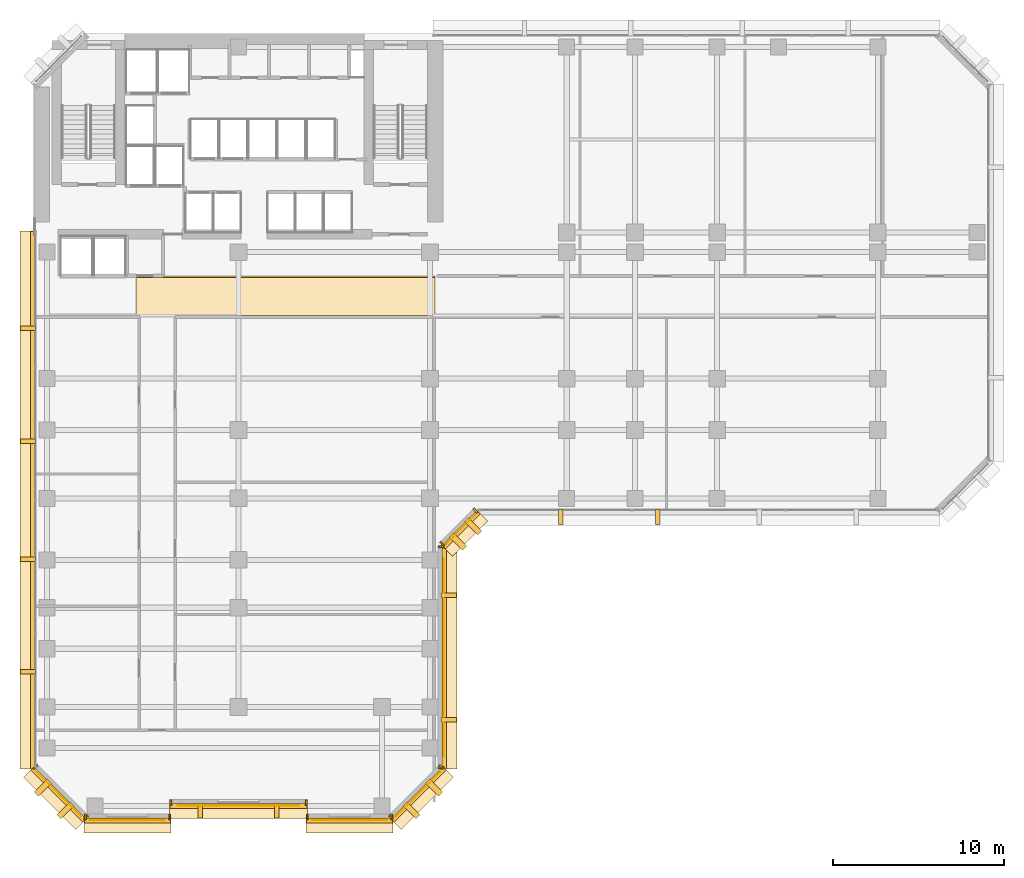
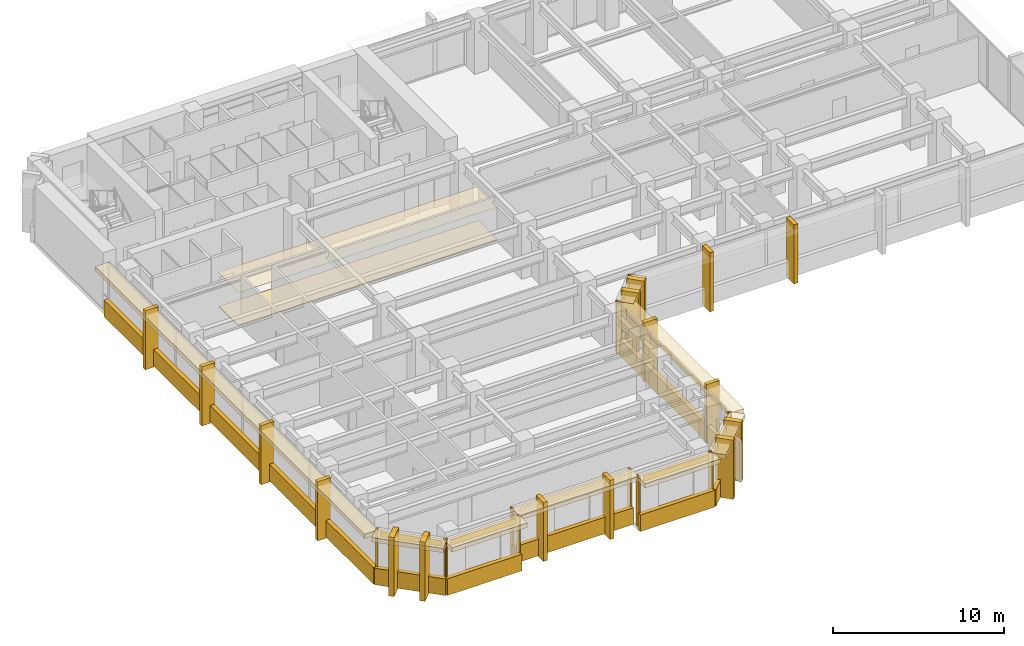
# One storey, part 9 of 13: 55 coverings.
"""IFC4 building model written with IfcOpenShell, lengths in metres."""

from ifc_helpers import new_model, si_unit, direction, frame, origin, origin_2d, place, context, subcontext, project, spatial, polyline, rectangle, outline, extrude, material, layer, layer_set, type_object, element, save


model = new_model("IFC4")

# Units and contexts
model_context = context("Model", 3, precision=1e-05, world=origin(), true_north=direction((0.0, 1.0)))
body_context = subcontext(model_context, "Body", "Model", "MODEL_VIEW")
ifc_project = project(units=[si_unit("LENGTHUNIT", "METRE"), si_unit("AREAUNIT", "SQUARE_METRE"), si_unit("VOLUMEUNIT", "CUBIC_METRE"), si_unit("PLANEANGLEUNIT", "RADIAN"), si_unit("MASSUNIT", "GRAM", prefix="KILO")], contexts=[model_context])

# Site, building, storey
site_placement = place(None, origin())
site = spatial("IfcSite", under=ifc_project, at=site_placement, CompositionType="ELEMENT")
building_placement = place(site_placement, origin())
building = spatial("IfcBuilding", under=site, at=building_placement, Name="Kefirva Bronze Tower", CompositionType="ELEMENT")
storey_placement = place(building_placement, frame((0.0, 0.0, 89.760009765625)))
storey = spatial("IfcBuildingStorey", under=building, at=storey_placement, Name="L21", CompositionType="ELEMENT", Elevation=89.760009765625)

# Coverings
ifc_material_1 = material(Name="Acoustic mineral tile")
ifc_layer_1 = layer(ifc_material_1, 0.02490234375, Name="Acoustic mineral tile")
ifc_layer_set_1 = layer_set([ifc_layer_1], Name="Acoustic mineral tile")
covering_type_1 = type_object("IfcCoveringType", Name="Acoustic Mineral Suspended Ceiling 25mm", PredefinedType="CEILING", material=ifc_layer_set_1)
covering_1_placement = place(storey_placement, frame((0.0, 0.0, 2.39990234375)))
element("IfcCovering", 1, at=covering_1_placement, inside=storey, type_object=covering_type_1, Name="L21 Corridor Acoustic Ceiling", PredefinedType="CEILING", context=body_context, shape_type="SweptSolid", body=[
    extrude(outline(polyline([(6.0, 29.39990234375), (23.5, 29.39990234375), (23.5, 31.800048828125), (6.0, 31.800048828125), (6.0, 29.39990234375)])), origin(), (0.0, 0.0, 1.0), 0.025146484375),
])
ifc_material_2 = material(Name="Bronze anodised aluminium", Category="aluminium")
ifc_layer_2 = layer(ifc_material_2, 0.02001953125, Name="Bronze anodised aluminium")
ifc_layer_set_2 = layer_set([ifc_layer_2], Name="Bronze anodised aluminium")
covering_type_2 = type_object("IfcCoveringType", Name="Anodised Bronze Spandrel Cladding 20mm", PredefinedType="CLADDING", material=ifc_layer_set_2)
covering_2_placement = place(storey_placement, frame((5.5, -0.010009765625, 3.18994140625), z_axis=(0.0, 0.0, 1.0), x_axis=(1.0, 0.0, 0.0)))
element("IfcCovering", 2, at=covering_2_placement, inside=storey, type_object=covering_type_2, Name="L21 Bronze Spandrel Cladding 1", PredefinedType="CLADDING", context=body_context, shape_type="SweptSolid", body=[
    extrude(rectangle(XDim=4.40087890625, YDim=0.02001953125, at=origin_2d()), origin(), (0.0, 0.0, 1.0), 0.39990234375),
])
for number, where, z_axis, x_axis, name in (
    (3, (3.034912109375, 0.159912109375, 0.0), (0.0, 0.0, 1.0), (1.0, 0.0, 0.0), "L21 Facade Joint Closure Panel 1S"),
    (4, (7.965087890625, 0.159912109375, 0.0), (0.0, 0.0, 1.0), (1.0, 0.0, 0.0), "L21 Facade Joint Closure Panel 1E"),
):
    element("IfcCovering", number, at=place(storey_placement, frame(where, z_axis=z_axis, x_axis=x_axis)), inside=storey, type_object=covering_type_2, Name=name, PredefinedType="CLADDING", context=body_context, shape_type="SweptSolid", body=[
        extrude(rectangle(XDim=0.10009765625, YDim=0.320068359375, at=origin_2d()), origin(), (0.0, 0.0, 1.0), 3.610107421875),
    ])
covering_3_placement = place(storey_placement, frame((5.5, -0.0400390625, -0.16015625), z_axis=(0.0, 0.0, 1.0), x_axis=(1.0, 0.0, 0.0)))
element("IfcCovering", 5, at=covering_3_placement, inside=storey, type_object=covering_type_2, Name="L21 Streamline Horizontal Spandrel Band 0", PredefinedType="CLADDING", context=body_context, shape_type="SweptSolid", body=[
    extrude(rectangle(XDim=5.0400390625, YDim=0.280029296875, at=origin_2d()), origin(), (0.0, 0.0, 1.0), 1.179931640625),
])
covering_4_placement = place(storey_placement, frame((12.0, 0.840087890625, 3.18994140625), z_axis=(0.0, 0.0, 1.0), x_axis=(1.0, 0.0, 0.0)))
element("IfcCovering", 6, at=covering_4_placement, inside=storey, type_object=covering_type_2, Name="L21 Bronze Spandrel Cladding 2", PredefinedType="CLADDING", context=body_context, shape_type="SweptSolid", body=[
    extrude(rectangle(XDim=7.10107421875, YDim=0.02001953125, at=origin_2d()), origin(), (0.0, 0.0, 1.0), 0.39990234375),
])
for number, where, z_axis, x_axis, name in (
    (7, (8.034912109375, 1.010009765625, 0.0), (0.0, 0.0, 1.0), (1.0, 0.0, 0.0), "L21 Facade Joint Closure Panel 2S"),
    (8, (15.965087890625, 1.010009765625, 0.0), (0.0, 0.0, 1.0), (1.0, 0.0, 0.0), "L21 Facade Joint Closure Panel 2E"),
):
    element("IfcCovering", number, at=place(storey_placement, frame(where, z_axis=z_axis, x_axis=x_axis)), inside=storey, type_object=covering_type_2, Name=name, PredefinedType="CLADDING", context=body_context, shape_type="SweptSolid", body=[
        extrude(rectangle(XDim=0.10009765625, YDim=0.320068359375, at=origin_2d()), origin(), (0.0, 0.0, 1.0), 3.610107421875),
    ])
covering_5_placement = place(storey_placement, frame((12.0, 0.81005859375, -0.16015625), z_axis=(0.0, 0.0, 1.0), x_axis=(1.0, 0.0, 0.0)))
element("IfcCovering", 9, at=covering_5_placement, inside=storey, type_object=covering_type_2, Name="L21 Streamline Horizontal Spandrel Band 2", PredefinedType="CLADDING", context=body_context, shape_type="SweptSolid", body=[
    extrude(rectangle(XDim=8.0400390625, YDim=0.280029296875, at=origin_2d()), origin(), (0.0, 0.0, 1.0), 1.179931640625),
])
covering_6_placement = place(storey_placement, frame((18.5, -0.010009765625, 3.18994140625), z_axis=(0.0, 0.0, 1.0), x_axis=(1.0, 0.0, 0.0)))
element("IfcCovering", 10, at=covering_6_placement, inside=storey, type_object=covering_type_2, Name="L21 Bronze Spandrel Cladding 3", PredefinedType="CLADDING", context=body_context, shape_type="SweptSolid", body=[
    extrude(rectangle(XDim=4.40087890625, YDim=0.02001953125, at=origin_2d()), origin(), (0.0, 0.0, 1.0), 0.39990234375),
])
for number, where, z_axis, x_axis, name in (
    (11, (16.034912109375, 0.159912109375, 0.0), (0.0, 0.0, 1.0), (1.0, 0.0, 0.0), "L21 Facade Joint Closure Panel 3S"),
    (12, (20.965087890625, 0.159912109375, 0.0), (0.0, 0.0, 1.0), (1.0, 0.0, 0.0), "L21 Facade Joint Closure Panel 3E"),
):
    element("IfcCovering", number, at=place(storey_placement, frame(where, z_axis=z_axis, x_axis=x_axis)), inside=storey, type_object=covering_type_2, Name=name, PredefinedType="CLADDING", context=body_context, shape_type="SweptSolid", body=[
        extrude(rectangle(XDim=0.10009765625, YDim=0.320068359375, at=origin_2d()), origin(), (0.0, 0.0, 1.0), 3.610107421875),
    ])
covering_7_placement = place(storey_placement, frame((18.5, -0.0400390625, -0.16015625), z_axis=(0.0, 0.0, 1.0), x_axis=(1.0, 0.0, 0.0)))
element("IfcCovering", 13, at=covering_7_placement, inside=storey, type_object=covering_type_2, Name="L21 Streamline Horizontal Spandrel Band 4", PredefinedType="CLADDING", context=body_context, shape_type="SweptSolid", body=[
    extrude(rectangle(XDim=5.0400390625, YDim=0.280029296875, at=origin_2d()), origin(), (0.0, 0.0, 1.0), 1.179931640625),
])
covering_8_placement = place(storey_placement, frame((22.507080078125, 1.492919921875, 3.18994140625), z_axis=(0.0, 0.0, 1.0), x_axis=(0.707106781187, 0.707106781187, 0.0)))
element("IfcCovering", 14, at=covering_8_placement, inside=storey, type_object=covering_type_2, Name="L21 Bronze Spandrel Cladding 4", PredefinedType="CLADDING", context=body_context, shape_type="SweptSolid", body=[
    extrude(rectangle(XDim=3.719482421875, YDim=0.02001953125, at=origin_2d()), origin(), (0.0, 0.0, 1.0), 0.39990234375),
])
for number, where, z_axis, x_axis, name in (
    (15, (20.91162109375, 0.137939453125, 0.0), (0.0, 0.0, 1.0), (0.707106781187, 0.707106781187, 0.0), "L21 Facade Joint Closure Panel 4S"),
    (16, (23.862060546875, 3.08837890625, 0.0), (0.0, 0.0, 1.0), (0.707106781187, 0.707106781187, 0.0), "L21 Facade Joint Closure Panel 4E"),
):
    element("IfcCovering", number, at=place(storey_placement, frame(where, z_axis=z_axis, x_axis=x_axis)), inside=storey, type_object=covering_type_2, Name=name, PredefinedType="CLADDING", context=body_context, shape_type="SweptSolid", body=[
        extrude(rectangle(XDim=0.10009765625, YDim=0.320068359375, at=origin_2d()), origin(), (0.0, 0.0, 1.0), 3.610107421875),
    ])
covering_9_placement = place(storey_placement, frame((22.5283203125, 1.4716796875, -0.16015625), z_axis=(0.0, 0.0, 1.0), x_axis=(0.707106781187, 0.707106781187, 0.0)))
element("IfcCovering", 17, at=covering_9_placement, inside=storey, type_object=covering_type_2, Name="L21 Streamline Horizontal Spandrel Band 5", PredefinedType="CLADDING", context=body_context, shape_type="SweptSolid", body=[
    extrude(rectangle(XDim=4.28271484375, YDim=0.280029296875, at=origin_2d()), origin(), (0.0, 0.0, 1.0), 1.179931640625),
])
covering_10_placement = place(storey_placement, frame((24.010009765625, 9.5, 3.18994140625), z_axis=(0.0, 0.0, 1.0), x_axis=(0.0, 1.0, 0.0)))
element("IfcCovering", 18, at=covering_10_placement, inside=storey, type_object=covering_type_2, Name="L21 Bronze Spandrel Cladding 5", PredefinedType="CLADDING", context=body_context, shape_type="SweptSolid", body=[
    extrude(rectangle(XDim=11.60107421875, YDim=0.02001953125, at=origin_2d()), origin(), (0.0, 0.0, 1.0), 0.39990234375),
])
for number, where, z_axis, x_axis, name in (
    (19, (23.840087890625, 3.034912109375, 0.0), (0.0, 0.0, 1.0), (0.0, 1.0, 0.0), "L21 Facade Joint Closure Panel 5S"),
    (20, (23.840087890625, 15.965087890625, 0.0), (0.0, 0.0, 1.0), (0.0, 1.0, 0.0), "L21 Facade Joint Closure Panel 5E"),
):
    element("IfcCovering", number, at=place(storey_placement, frame(where, z_axis=z_axis, x_axis=x_axis)), inside=storey, type_object=covering_type_2, Name=name, PredefinedType="CLADDING", context=body_context, shape_type="SweptSolid", body=[
        extrude(rectangle(XDim=0.10009765625, YDim=0.320068359375, at=origin_2d()), origin(), (0.0, 0.0, 1.0), 3.610107421875),
    ])
covering_11_placement = place(storey_placement, frame((24.0400390625, 9.5, -0.16015625), z_axis=(0.0, 0.0, 1.0), x_axis=(0.0, 1.0, 0.0)))
element("IfcCovering", 21, at=covering_11_placement, inside=storey, type_object=covering_type_2, Name="L21 Streamline Horizontal Spandrel Band 6", PredefinedType="CLADDING", context=body_context, shape_type="SweptSolid", body=[
    extrude(rectangle(XDim=13.0400390625, YDim=0.280029296875, at=origin_2d()), origin(), (0.0, 0.0, 1.0), 1.179931640625),
])
covering_12_placement = place(storey_placement, frame((25.007080078125, 16.992919921875, 3.18994140625), z_axis=(0.0, 0.0, 1.0), x_axis=(0.707106781187, 0.707106781187, 0.0)))
element("IfcCovering", 22, at=covering_12_placement, inside=storey, type_object=covering_type_2, Name="L21 Bronze Spandrel Cladding 6", PredefinedType="CLADDING", context=body_context, shape_type="SweptSolid", body=[
    extrude(rectangle(XDim=2.446533203125, YDim=0.02001953125, at=origin_2d()), origin(), (0.0, 0.0, 1.0), 0.39990234375),
])
for number, where, z_axis, x_axis, name in (
    (23, (23.91162109375, 16.137939453125, 0.0), (0.0, 0.0, 1.0), (0.707106781187, 0.707106781187, 0.0), "L21 Facade Joint Closure Panel 6S"),
    (24, (25.862060546875, 18.08837890625, 0.0), (0.0, 0.0, 1.0), (0.707106781187, 0.707106781187, 0.0), "L21 Facade Joint Closure Panel 6E"),
):
    element("IfcCovering", number, at=place(storey_placement, frame(where, z_axis=z_axis, x_axis=x_axis)), inside=storey, type_object=covering_type_2, Name=name, PredefinedType="CLADDING", context=body_context, shape_type="SweptSolid", body=[
        extrude(rectangle(XDim=0.10009765625, YDim=0.320068359375, at=origin_2d()), origin(), (0.0, 0.0, 1.0), 3.610107421875),
    ])
covering_13_placement = place(storey_placement, frame((25.0283203125, 16.9716796875, -0.16015625), z_axis=(0.0, 0.0, 1.0), x_axis=(0.707106781187, 0.707106781187, 0.0)))
element("IfcCovering", 25, at=covering_13_placement, inside=storey, type_object=covering_type_2, Name="L21 Streamline Horizontal Spandrel Band 7", PredefinedType="CLADDING", context=body_context, shape_type="SweptSolid", body=[
    extrude(rectangle(XDim=2.868408203125, YDim=0.280029296875, at=origin_2d()), origin(), (0.0, 0.0, 1.0), 1.179931640625),
])
covering_14_placement = place(storey_placement, frame((-0.0400390625, 18.697509765625, -0.16015625), z_axis=(0.0, 0.0, 1.0), x_axis=(0.0, -1.0, 0.0)))
element("IfcCovering", 26, at=covering_14_placement, inside=storey, type_object=covering_type_2, Name="L21 Streamline Horizontal Spandrel Band 14", PredefinedType="CLADDING", context=body_context, shape_type="SweptSolid", body=[
    extrude(rectangle(XDim=31.43505859375, YDim=0.280029296875, at=origin_2d()), origin(), (0.0, 0.0, 1.0), 1.179931640625),
])
covering_15_placement = place(storey_placement, frame((1.492919921875, 1.492919921875, 3.18994140625), z_axis=(0.0, 0.0, 1.0), x_axis=(0.707106781187, -0.707106781187, 0.0)))
element("IfcCovering", 27, at=covering_15_placement, inside=storey, type_object=covering_type_2, Name="L21 Bronze Spandrel Cladding 10", PredefinedType="CLADDING", context=body_context, shape_type="SweptSolid", body=[
    extrude(rectangle(XDim=3.719482421875, YDim=0.02001953125, at=origin_2d()), origin(), (0.0, 0.0, 1.0), 0.39990234375),
])
for number, where, z_axis, x_axis, name in (
    (28, (0.137939453125, 3.08837890625, 0.0), (0.0, 0.0, 1.0), (0.707106781187, -0.707106781187, 0.0), "L21 Facade Joint Closure Panel 10S"),
    (29, (3.08837890625, 0.137939453125, 0.0), (0.0, 0.0, 1.0), (0.707106781187, -0.707106781187, 0.0), "L21 Facade Joint Closure Panel 10E"),
):
    element("IfcCovering", number, at=place(storey_placement, frame(where, z_axis=z_axis, x_axis=x_axis)), inside=storey, type_object=covering_type_2, Name=name, PredefinedType="CLADDING", context=body_context, shape_type="SweptSolid", body=[
        extrude(rectangle(XDim=0.10009765625, YDim=0.320068359375, at=origin_2d()), origin(), (0.0, 0.0, 1.0), 3.610107421875),
    ])
covering_16_placement = place(storey_placement, frame((1.4716796875, 1.4716796875, -0.16015625), z_axis=(0.0, 0.0, 1.0), x_axis=(0.707106781187, -0.707106781187, 0.0)))
element("IfcCovering", 30, at=covering_16_placement, inside=storey, type_object=covering_type_2, Name="L21 Streamline Horizontal Spandrel Band 15", PredefinedType="CLADDING", context=body_context, shape_type="SweptSolid", body=[
    extrude(rectangle(XDim=4.28271484375, YDim=0.280029296875, at=origin_2d()), origin(), (0.0, 0.0, 1.0), 1.179931640625),
])
ifc_material_3 = material(Name="Calcium sulphate access tile")
ifc_layer_3 = layer(ifc_material_3, 0.044921875, Name="Calcium sulphate access tile")
ifc_layer_set_3 = layer_set([ifc_layer_3], Name="Calcium sulphate access tile")
covering_type_3 = type_object("IfcCoveringType", Name="Raised Access Office Flooring 45mm", PredefinedType="FLOORING", material=ifc_layer_set_3)
covering_17_placement = place(storey_placement, origin())
element("IfcCovering", 31, at=covering_17_placement, inside=storey, type_object=covering_type_3, Name="L21 Architectural Finish Flooring", PredefinedType="FLOORING", context=body_context, shape_type="SweptSolid", body=[
    extrude(outline(polyline([(6.0, 29.47998046875), (23.5, 29.47998046875), (23.5, 31.719970703125), (6.0, 31.719970703125), (6.0, 29.47998046875)])), origin(), (0.0, 0.0, 1.0), 0.044921875),
])
ifc_layer_4 = layer(ifc_material_2, 0.179931640625, Name="Bronze anodised aluminium")
ifc_layer_set_4 = layer_set([ifc_layer_4], Name="Bronze anodised aluminium")
covering_type_4 = type_object("IfcCoveringType", Name="Streamline Bronze Sunshade Eyebrow Cladding 180mm", PredefinedType="CLADDING", material=ifc_layer_set_4)
covering_18_placement = place(storey_placement, frame((5.5, -0.31005859375, 3.2900390625), z_axis=(0.0, 0.0, 1.0), x_axis=(1.0, 0.0, 0.0)))
element("IfcCovering", 32, at=covering_18_placement, inside=storey, type_object=covering_type_4, Name="L21 Streamline Bronze Sunshade Eyebrow 0", PredefinedType="CLADDING", context=body_context, shape_type="SweptSolid", body=[
    extrude(rectangle(XDim=5.080078125, YDim=0.93994140625, at=origin_2d()), origin(), (0.0, 0.0, 1.0), 0.320068359375),
])
covering_19_placement = place(storey_placement, frame((12.0, 0.5400390625, 3.2900390625), z_axis=(0.0, 0.0, 1.0), x_axis=(1.0, 0.0, 0.0)))
element("IfcCovering", 33, at=covering_19_placement, inside=storey, type_object=covering_type_4, Name="L21 Streamline Bronze Sunshade Eyebrow 2", PredefinedType="CLADDING", context=body_context, shape_type="SweptSolid", body=[
    extrude(rectangle(XDim=8.080078125, YDim=0.93994140625, at=origin_2d()), origin(), (0.0, 0.0, 1.0), 0.320068359375),
])
covering_20_placement = place(storey_placement, frame((18.5, -0.31005859375, 3.2900390625), z_axis=(0.0, 0.0, 1.0), x_axis=(1.0, 0.0, 0.0)))
element("IfcCovering", 34, at=covering_20_placement, inside=storey, type_object=covering_type_4, Name="L21 Streamline Bronze Sunshade Eyebrow 4", PredefinedType="CLADDING", context=body_context, shape_type="SweptSolid", body=[
    extrude(rectangle(XDim=5.080078125, YDim=0.93994140625, at=origin_2d()), origin(), (0.0, 0.0, 1.0), 0.320068359375),
])
covering_21_placement = place(storey_placement, frame((22.71923828125, 1.28076171875, 3.2900390625), z_axis=(0.0, 0.0, 1.0), x_axis=(0.707106781187, 0.707106781187, 0.0)))
element("IfcCovering", 35, at=covering_21_placement, inside=storey, type_object=covering_type_4, Name="L21 Streamline Bronze Sunshade Eyebrow 5", PredefinedType="CLADDING", context=body_context, shape_type="SweptSolid", body=[
    extrude(rectangle(XDim=4.322509765625, YDim=0.93994140625, at=origin_2d()), origin(), (0.0, 0.0, 1.0), 0.320068359375),
])
covering_22_placement = place(storey_placement, frame((24.31005859375, 9.5, 3.2900390625), z_axis=(0.0, 0.0, 1.0), x_axis=(0.0, 1.0, 0.0)))
element("IfcCovering", 36, at=covering_22_placement, inside=storey, type_object=covering_type_4, Name="L21 Streamline Bronze Sunshade Eyebrow 6", PredefinedType="CLADDING", context=body_context, shape_type="SweptSolid", body=[
    extrude(rectangle(XDim=13.080078125, YDim=0.93994140625, at=origin_2d()), origin(), (0.0, 0.0, 1.0), 0.320068359375),
])
covering_23_placement = place(storey_placement, frame((25.21923828125, 16.78076171875, 3.2900390625), z_axis=(0.0, 0.0, 1.0), x_axis=(0.707106781187, 0.707106781187, 0.0)))
element("IfcCovering", 37, at=covering_23_placement, inside=storey, type_object=covering_type_4, Name="L21 Streamline Bronze Sunshade Eyebrow 7", PredefinedType="CLADDING", context=body_context, shape_type="SweptSolid", body=[
    extrude(rectangle(XDim=2.908447265625, YDim=0.93994140625, at=origin_2d()), origin(), (0.0, 0.0, 1.0), 0.320068359375),
])
covering_24_placement = place(storey_placement, frame((-0.31005859375, 18.697509765625, 3.2900390625), z_axis=(0.0, 0.0, 1.0), x_axis=(0.0, -1.0, 0.0)))
element("IfcCovering", 38, at=covering_24_placement, inside=storey, type_object=covering_type_4, Name="L21 Streamline Bronze Sunshade Eyebrow 14", PredefinedType="CLADDING", context=body_context, shape_type="SweptSolid", body=[
    extrude(rectangle(XDim=31.47509765625, YDim=0.93994140625, at=origin_2d()), origin(), (0.0, 0.0, 1.0), 0.320068359375),
])
covering_25_placement = place(storey_placement, frame((1.28076171875, 1.28076171875, 3.2900390625), z_axis=(0.0, 0.0, 1.0), x_axis=(0.707106781187, -0.707106781187, 0.0)))
element("IfcCovering", 39, at=covering_25_placement, inside=storey, type_object=covering_type_4, Name="L21 Streamline Bronze Sunshade Eyebrow 15", PredefinedType="CLADDING", context=body_context, shape_type="SweptSolid", body=[
    extrude(rectangle(XDim=4.322509765625, YDim=0.93994140625, at=origin_2d()), origin(), (0.0, 0.0, 1.0), 0.320068359375),
])
ifc_layer_5 = layer(ifc_material_2, 0.260009765625, Name="Bronze anodised aluminium")
ifc_layer_set_5 = layer_set([ifc_layer_5], Name="Bronze anodised aluminium")
covering_type_5 = type_object("IfcCoveringType", Name="Unbroken Bronze Buttress Fin Cladding 260mm", PredefinedType="CLADDING", material=ifc_layer_set_5)
for number, where, z_axis, x_axis, name in (
    (40, (9.760009765625, 0.550048828125, -0.25), (0.0, 0.0, 1.0), (1.0, 0.0, 0.0), "L21 Unbroken Vertical Bronze Rib Fin 1"),
    (41, (14.239990234375, 0.550048828125, -0.25), (0.0, 0.0, 1.0), (1.0, 0.0, 0.0), "L21 Unbroken Vertical Bronze Rib Fin 2"),
):
    element("IfcCovering", number, at=place(storey_placement, frame(where, z_axis=z_axis, x_axis=x_axis)), inside=storey, type_object=covering_type_5, Name=name, PredefinedType="CLADDING", context=body_context, shape_type="SweptSolid", body=[
        extrude(rectangle(XDim=0.260009765625, YDim=0.8798828125, at=origin_2d()), origin(), (0.0, 0.0, 1.0), 4.2099609375),
    ])
for number, where, z_axis, x_axis, name in (
    (42, (22.122802734375, 0.55712890625, -0.25), (0.0, 0.0, 1.0), (0.707106781187, 0.707106781187, 0.0), "L21 Chamfered Corner Buttress Fin Cladding 3"),
    (43, (23.44287109375, 1.877197265625, -0.25), (0.0, 0.0, 1.0), (0.707106781187, 0.707106781187, 0.0), "L21 Chamfered Corner Buttress Fin Cladding 4"),
):
    element("IfcCovering", number, at=place(storey_placement, frame(where, z_axis=z_axis, x_axis=x_axis)), inside=storey, type_object=covering_type_5, Name=name, PredefinedType="CLADDING", context=body_context, shape_type="SweptSolid", body=[
        extrude(rectangle(XDim=0.340087890625, YDim=1.080078125, at=origin_2d()), origin(), (0.0, 0.0, 1.0), 4.2099609375),
    ])
for number, where, z_axis, x_axis, name in (
    (44, (24.300048828125, 5.860107421875, -0.25), (0.0, 0.0, 1.0), (0.0, 1.0, 0.0), "L21 Unbroken Vertical Bronze Rib Fin 5"),
    (45, (24.300048828125, 13.139892578125, -0.25), (0.0, 0.0, 1.0), (0.0, 1.0, 0.0), "L21 Unbroken Vertical Bronze Rib Fin 6"),
):
    element("IfcCovering", number, at=place(storey_placement, frame(where, z_axis=z_axis, x_axis=x_axis)), inside=storey, type_object=covering_type_5, Name=name, PredefinedType="CLADDING", context=body_context, shape_type="SweptSolid", body=[
        extrude(rectangle(XDim=0.260009765625, YDim=0.8798828125, at=origin_2d()), origin(), (0.0, 0.0, 1.0), 4.2099609375),
    ])
for number, where, z_axis, x_axis, name in (
    (46, (24.8427734375, 16.277099609375, -0.25), (0.0, 0.0, 1.0), (0.707106781187, 0.707106781187, 0.0), "L21 Chamfered Corner Buttress Fin Cladding 7"),
    (47, (25.722900390625, 17.1572265625, -0.25), (0.0, 0.0, 1.0), (0.707106781187, 0.707106781187, 0.0), "L21 Chamfered Corner Buttress Fin Cladding 8"),
):
    element("IfcCovering", number, at=place(storey_placement, frame(where, z_axis=z_axis, x_axis=x_axis)), inside=storey, type_object=covering_type_5, Name=name, PredefinedType="CLADDING", context=body_context, shape_type="SweptSolid", body=[
        extrude(rectangle(XDim=0.340087890625, YDim=1.080078125, at=origin_2d()), origin(), (0.0, 0.0, 1.0), 4.2099609375),
    ])
for number, where, z_axis, x_axis, name in (
    (48, (30.860107421875, 17.699951171875, -0.25), (0.0, 0.0, 1.0), (1.0, 0.0, 0.0), "L21 Unbroken Vertical Bronze Rib Fin 9"),
    (49, (36.530029296875, 17.699951171875, -0.25), (0.0, 0.0, 1.0), (1.0, 0.0, 0.0), "L21 Unbroken Vertical Bronze Rib Fin 10"),
    (50, (-0.300048828125, 28.743896484375, -0.25), (0.0, 0.0, 1.0), (0.0, -1.0, 0.0), "L21 Unbroken Vertical Bronze Rib Fin 25"),
    (51, (-0.300048828125, 22.15087890625, -0.25), (0.0, 0.0, 1.0), (0.0, -1.0, 0.0), "L21 Unbroken Vertical Bronze Rib Fin 26"),
    (52, (-0.300048828125, 15.244140625, -0.25), (0.0, 0.0, 1.0), (0.0, -1.0, 0.0), "L21 Unbroken Vertical Bronze Rib Fin 27"),
    (53, (-0.300048828125, 8.651123046875, -0.25), (0.0, 0.0, 1.0), (0.0, -1.0, 0.0), "L21 Unbroken Vertical Bronze Rib Fin 28"),
):
    element("IfcCovering", number, at=place(storey_placement, frame(where, z_axis=z_axis, x_axis=x_axis)), inside=storey, type_object=covering_type_5, Name=name, PredefinedType="CLADDING", context=body_context, shape_type="SweptSolid", body=[
        extrude(rectangle(XDim=0.260009765625, YDim=0.8798828125, at=origin_2d()), origin(), (0.0, 0.0, 1.0), 4.2099609375),
    ])
for number, where, z_axis, x_axis, name in (
    (54, (0.55712890625, 1.877197265625, -0.25), (0.0, 0.0, 1.0), (0.707106781187, -0.707106781187, 0.0), "L21 Chamfered Corner Buttress Fin Cladding 29"),
    (55, (1.877197265625, 0.55712890625, -0.25), (0.0, 0.0, 1.0), (0.707106781187, -0.707106781187, 0.0), "L21 Chamfered Corner Buttress Fin Cladding 30"),
):
    element("IfcCovering", number, at=place(storey_placement, frame(where, z_axis=z_axis, x_axis=x_axis)), inside=storey, type_object=covering_type_5, Name=name, PredefinedType="CLADDING", context=body_context, shape_type="SweptSolid", body=[
        extrude(rectangle(XDim=0.340087890625, YDim=1.080078125, at=origin_2d()), origin(), (0.0, 0.0, 1.0), 4.2099609375),
    ])

save(model, "model.ifc")
